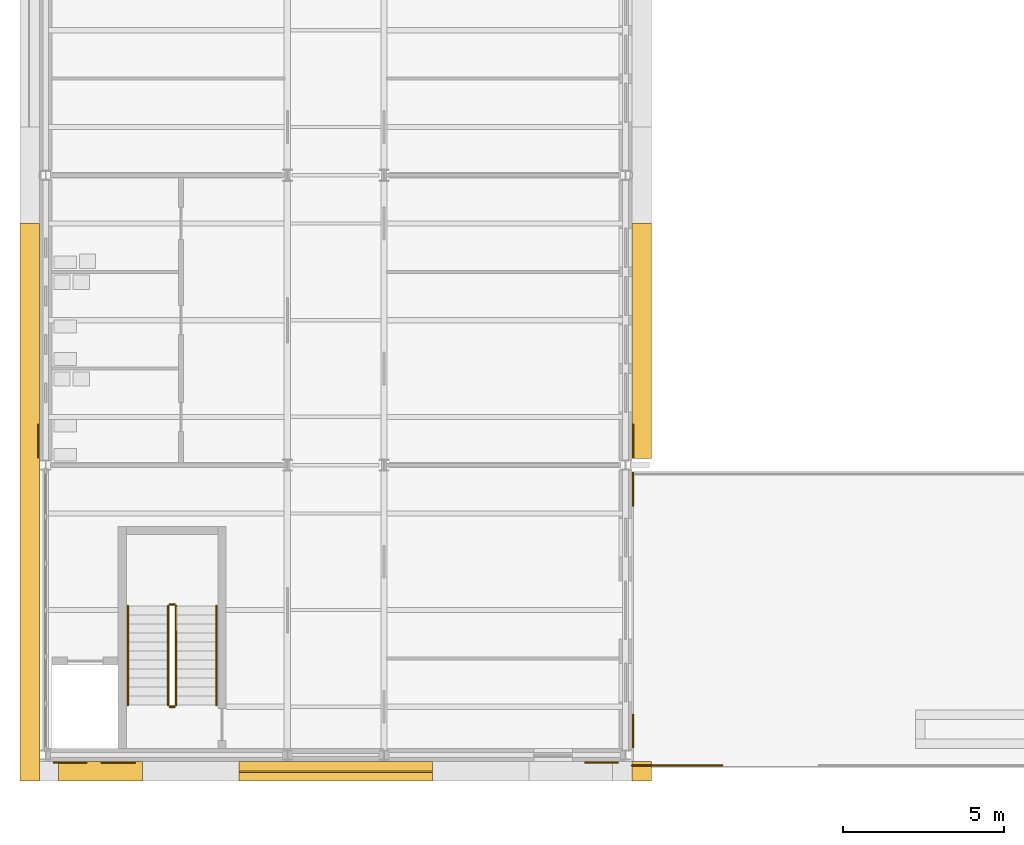
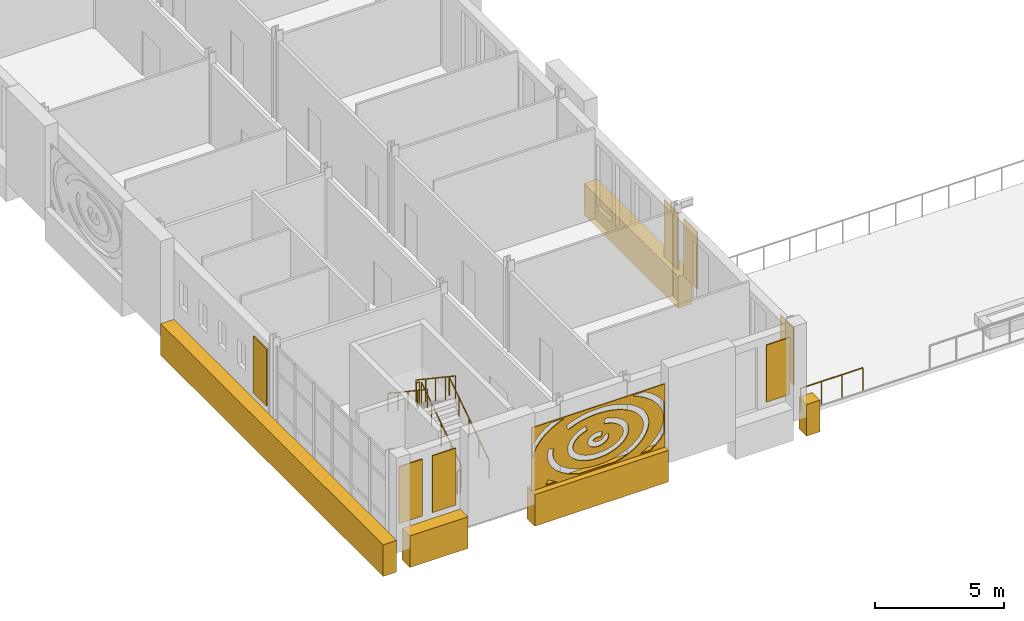
# One storey, part 107 of 134: 13 coverings, 7 railings.
"""IFC4 building model written with IfcOpenShell, lengths in metres."""

import ifcopenshell
import ifcopenshell.guid

model = None  # the IFC model being written
_history = None  # IfcOwnerHistory: only IFC2X3 demands one
_inside = {}  # id of a spatial element -> (the spatial element, [elements in it])
_under = {}  # id of a project, library or spatial element -> (it, [spatial elements below it])
_declared = {}  # id of a project -> (the project, [libraries it declares])
_typed = {}  # id of a type object -> (the type object, [elements of that type])
_made_of = {}  # id of a material, layer set ... -> (it, [elements and type objects made of it])


def new_model(schema):
    """Start an empty IFC model of exactly this schema.

    Asked for "IFC4X3", IfcOpenShell would pick the latest addendum, in which some entities
    have other attributes; the version numbers below select the first issue.
    IFC2X3 requires an IfcOwnerHistory on every rooted entity: one is made here for all.
    """
    global model, _history
    if schema == "IFC4X3":
        model = ifcopenshell.file(schema_version=(4, 3, 0, 0))
    else:
        model = ifcopenshell.file(schema=schema)
    _inside.clear()
    _under.clear()
    _declared.clear()
    _typed.clear()
    _made_of.clear()
    _history = None
    if model.schema == "IFC2X3":
        org = make("IfcOrganization", Name="unknown")
        user = make(
            "IfcPersonAndOrganization",
            ThePerson=make("IfcPerson", FamilyName="unknown"),
            TheOrganization=org,
        )
        app = make(
            "IfcApplication",
            ApplicationDeveloper=org,
            Version="unknown",
            ApplicationFullName="unknown",
            ApplicationIdentifier="unknown",
        )
        _history = make(
            "IfcOwnerHistory",
            OwningUser=user,
            OwningApplication=app,
            ChangeAction="ADDED",
            CreationDate=0,
        )
    return model


def make(cls, **values):
    """One entity of the class cls with the attributes given. An attribute that is None is left unset."""
    return model.create_entity(
        cls, **{name: value for name, value in values.items() if value is not None}
    )


def rooted(cls, **values):
    """An entity with a GlobalId (a new one), such as an element, a storey or a relation."""
    return make(cls, GlobalId=ifcopenshell.guid.new(), OwnerHistory=_history, **values)


def si_unit(unit_type, name, prefix=None):
    """IfcSIUnit, for example si_unit("LENGTHUNIT", "METRE", prefix="MILLI")."""
    return make("IfcSIUnit", UnitType=unit_type, Prefix=prefix, Name=name)


def assignment(units):
    """IfcUnitAssignment: the units of a project."""
    return None if units is None else make("IfcUnitAssignment", Units=units)


def point(xyz):
    """IfcCartesianPoint."""
    return None if xyz is None else make("IfcCartesianPoint", Coordinates=xyz)


def direction(xyz):
    """IfcDirection."""
    return None if xyz is None else make("IfcDirection", DirectionRatios=xyz)


def frame(location, z_axis=None, x_axis=None):
    """IfcAxis2Placement3D, a coordinate frame: its origin and axes. An axis left out is left unset."""
    return make(
        "IfcAxis2Placement3D",
        Location=point(location),
        Axis=direction(z_axis),
        RefDirection=direction(x_axis),
    )


def frame_2d(location, x_axis=None):
    """IfcAxis2Placement2D, a coordinate frame in the plane: its origin and x axis."""
    return make(
        "IfcAxis2Placement2D", Location=point(location), RefDirection=direction(x_axis)
    )


def origin():
    """The frame at (0, 0, 0) with its axes left unset."""
    return frame((0.0, 0.0, 0.0))


def origin_2d():
    """The frame at (0, 0) in the plane with its x axis left unset."""
    return frame_2d((0.0, 0.0))


def place(relative_to, where):
    """IfcLocalPlacement: puts the frame where relative to a parent placement (None: the world)."""
    return make(
        "IfcLocalPlacement", PlacementRelTo=relative_to, RelativePlacement=where
    )


def context(
    kind, dimensions, precision=None, world=None, true_north=None, identifier=None
):
    """IfcGeometricRepresentationContext, for example the 3D "Model" context."""
    return make(
        "IfcGeometricRepresentationContext",
        ContextIdentifier=identifier,
        ContextType=kind,
        CoordinateSpaceDimension=dimensions,
        Precision=precision,
        WorldCoordinateSystem=world,
        TrueNorth=true_north,
    )


def subcontext(parent, identifier, kind, view, scale=None):
    """IfcGeometricRepresentationSubContext, for example "Body" below "Model"."""
    return make(
        "IfcGeometricRepresentationSubContext",
        ContextIdentifier=identifier,
        ContextType=kind,
        ParentContext=parent,
        TargetScale=scale,
        TargetView=view,
    )


def project(units=None, contexts=None):
    """IfcProject with its units and contexts."""
    return rooted(
        "IfcProject",
        Name="project",
        RepresentationContexts=contexts,
        UnitsInContext=assignment(units),
    )


def spatial(cls, under=None, at=None, **own):
    """A site, building, storey or space (cls), placed at a placement, below another one or the project."""
    s = rooted(cls, ObjectPlacement=at, **own)
    if under is not None:
        _under.setdefault(under.id(), (under, []))[1].append(s)
    return s


def polyline(points):
    """IfcPolyline through the points."""
    return make("IfcPolyline", Points=[point(p) for p in points])


def profile(cls, at=None, kind="AREA", **sizes):
    """A parametric profile (cls). Its sizes go by their IFC names, for example OverallWidth=200.0."""
    return make(cls, ProfileType=kind, Position=at, **sizes)


def circle(**sizes):
    """IfcCircleProfileDef."""
    return profile("IfcCircleProfileDef", **sizes)


def outline(outer, holes=None, kind="AREA"):
    """IfcArbitraryClosedProfileDef: a profile drawn as a closed curve; with holes, ...WithVoids."""
    if holes is None:
        return make("IfcArbitraryClosedProfileDef", ProfileType=kind, OuterCurve=outer)
    return make(
        "IfcArbitraryProfileDefWithVoids",
        ProfileType=kind,
        OuterCurve=outer,
        InnerCurves=holes,
    )


def extrude(swept, where, along, depth):
    """IfcExtrudedAreaSolid: the profile swept, set in the frame where, extruded along a direction by depth."""
    return make(
        "IfcExtrudedAreaSolid",
        SweptArea=swept,
        Position=where,
        ExtrudedDirection=direction(along),
        Depth=depth,
    )


def shape(context_of_items, identifier, shape_type, items):
    """IfcShapeRepresentation: the items that make up one representation, for example the "Body"."""
    return make(
        "IfcShapeRepresentation",
        ContextOfItems=context_of_items,
        RepresentationIdentifier=identifier,
        RepresentationType=shape_type,
        Items=items,
    )


def material(Name=None, Category=None):
    """IfcMaterial."""
    return make("IfcMaterial", Name=Name, Category=Category)


def layer(
    of_material, thickness, ventilated=None, Name=None, Category=None, Priority=None
):
    """IfcMaterialLayer: one layer of a wall or slab, of a material (None: an air gap)."""
    return make(
        "IfcMaterialLayer",
        Material=of_material,
        LayerThickness=thickness,
        IsVentilated=ventilated,
        Name=Name,
        Category=Category,
        Priority=Priority,
    )


def layer_set(layers, Name=None):
    """IfcMaterialLayerSet."""
    return make("IfcMaterialLayerSet", MaterialLayers=layers, LayerSetName=Name)


def made_of(thing, what):
    """Note that an element or type object is made of a material, layer set ...; save() writes the relation."""
    if what is not None:
        _made_of.setdefault(what.id(), (what, []))[1].append(thing)
    return thing


def type_object(cls, material=None, **own):
    """A type object (cls), such as IfcWallType, which elements share."""
    return made_of(rooted(cls, **own), material)


def element(
    cls,
    number,
    at=None,
    inside=None,
    cuts=None,
    type_object=None,
    material=None,
    context=None,
    identifier="Body",
    shape_type=None,
    held_by="IfcProductDefinitionShape",
    body=None,
    shapes=None,
    **own,
):
    """One element of the class cls, such as IfcWall. Its Tag is "e" and its number.

    at: its placement. inside: the storey or other place that contains it. cuts: it is an
    opening in that element (IfcRelVoidsElement). A single representation is given by context,
    identifier, shape_type and body (its items); several are given by shapes. held_by: the class
    of the entity that holds the representations. save() writes the other relations.
    """
    e = rooted(cls, Tag="e%d" % number, ObjectPlacement=at, **own)
    if body is not None:
        shapes = [shape(context, identifier, shape_type, body)]
    if shapes is not None:
        e.Representation = make(held_by, Representations=shapes)
    if inside is not None:
        _inside.setdefault(inside.id(), (inside, []))[1].append(e)
    if cuts is not None:
        rooted(
            "IfcRelVoidsElement", RelatingBuildingElement=cuts, RelatedOpeningElement=e
        )
    if type_object is not None:
        _typed.setdefault(type_object.id(), (type_object, []))[1].append(e)
    return made_of(e, material)


def aggregate(whole, parts):
    """IfcRelAggregates: a whole, such as a stair, and the parts it consists of."""
    return rooted("IfcRelAggregates", RelatingObject=whole, RelatedObjects=parts)


def save(model, path):
    """Write the relations noted so far, then the file.

    IfcRelAggregates (storeys below a building ...), IfcRelContainedInSpatialStructure (elements
    in a storey), IfcRelDefinesByType, IfcRelAssociatesMaterial and IfcRelDeclares: one each for
    every whole, place, type object, material and project.
    """
    for whole, parts in _under.values():
        aggregate(whole, parts)
    for where, things in _inside.values():
        rooted(
            "IfcRelContainedInSpatialStructure",
            RelatedElements=things,
            RelatingStructure=where,
        )
    for kind, things in _typed.values():
        rooted("IfcRelDefinesByType", RelatedObjects=things, RelatingType=kind)
    for what, things in _made_of.values():
        rooted("IfcRelAssociatesMaterial", RelatedObjects=things, RelatingMaterial=what)
    for by, libraries in _declared.values():
        rooted("IfcRelDeclares", RelatingContext=by, RelatedDefinitions=libraries)
    model.write(path)


model = new_model("IFC4")

# Units and contexts
model_context = context("Model", 3, precision=1e-05, world=origin(), true_north=direction((0.0, 1.0)))
body_context = subcontext(model_context, "Body", "Model", "MODEL_VIEW")
ifc_project = project(units=[si_unit("LENGTHUNIT", "METRE"), si_unit("AREAUNIT", "SQUARE_METRE"), si_unit("VOLUMEUNIT", "CUBIC_METRE"), si_unit("PLANEANGLEUNIT", "RADIAN"), si_unit("MASSUNIT", "GRAM", prefix="KILO")], contexts=[model_context])

# Site, building, storey
site_placement = place(None, origin())
site = spatial("IfcSite", under=ifc_project, at=site_placement, CompositionType="ELEMENT")
building_placement = place(site_placement, origin())
building = spatial("IfcBuilding", under=site, at=building_placement, Name="Golden Quay Civic Hall", CompositionType="ELEMENT")
storey_placement = place(building_placement, frame((0.0, 0.0, 5.39990234375)))
storey = spatial("IfcBuildingStorey", under=building, at=storey_placement, Name="L01", CompositionType="ELEMENT", Elevation=5.39990234375)

# Covering
ifc_material_1 = material(Name="Aluminium, golden anodised, perforated", Category="aluminium")
ifc_layer_1 = layer(ifc_material_1, 0.0400390625)
ifc_layer_set_1 = layer_set([ifc_layer_1], Name="Perforated screen panel 6000 x 3000 x 40")
covering_type_1 = type_object("IfcCoveringType", Name="Perforated screen panel 6000 x 3000 x 40", PredefinedType="CLADDING", material=ifc_layer_set_1)
covering_1_placement = place(storey_placement, frame((9.0, -9.5, 2.10009765625), z_axis=(0.0, -1.0, 0.0), x_axis=(1.0, 0.0, 0.0)))
element("IfcCovering", 1, at=covering_1_placement, inside=storey, type_object=covering_type_1, Name="Perforated screen panel 6000 x 3000 x 40 L01 6", PredefinedType="CLADDING", context=body_context, shape_type="SweptSolid", body=[
    extrude(outline(polyline([(-3.0, -1.5), (3.0, -1.5), (3.0, 1.5), (-3.0, 1.5), (-3.0, -1.5)]), holes=[polyline([(0.0810546875, 0.0087890625), (0.03125, 0.015380859375), (-0.02001953125, 0.01611328125), (-0.070556640625, 0.0107421875), (-0.1171875, 0.0), (-0.157470703125, -0.014892578125), (-0.201904296875, -0.04150390625), (-0.223876953125, -0.065185546875), (-0.228515625, -0.07470703125), (-0.228271484375, -0.085205078125), (-0.211181640625, -0.10986328125), (-0.17431640625, -0.13671875), (-0.1376953125, -0.1533203125), (-0.093994140625, -0.166259765625), (-0.044921875, -0.17431640625), (0.006103515625, -0.176513671875), (0.05712890625, -0.1728515625), (0.10498046875, -0.16357421875), (0.1474609375, -0.1494140625), (0.1953125, -0.123291015625), (0.215087890625, -0.10595703125), (0.227783203125, -0.087158203125), (0.227783203125, -0.072998046875), (0.2177734375, -0.055908203125), (0.421630859375, 0.072509765625), (0.449951171875, 0.020263671875), (0.4619140625, -0.015380859375), (0.46875, -0.052978515625), (0.469970703125, -0.09130859375), (0.46533203125, -0.12939453125), (0.455322265625, -0.16650390625), (0.440185546875, -0.20166015625), (0.412109375, -0.24560546875), (0.370849609375, -0.29052734375), (0.3330078125, -0.321044921875), (0.277587890625, -0.3544921875), (0.206787109375, -0.38427734375), (0.162109375, -0.397705078125), (0.085205078125, -0.412109375), (0.006103515625, -0.41748046875), (-0.0732421875, -0.41357421875), (-0.151123046875, -0.400146484375), (-0.2177734375, -0.380615234375), (-0.28662109375, -0.349853515625), (-0.326904296875, -0.3251953125), (-0.3759765625, -0.285888671875), (-0.40966796875, -0.248779296875), (-0.441650390625, -0.198486328125), (-0.461181640625, -0.147705078125), (-0.47021484375, -0.089599609375), (-0.466064453125, -0.033447265625), (-0.448974609375, 0.02294921875), (-0.431640625, 0.056884765625), (-0.41015625, 0.088134765625), (-0.37646484375, 0.125244140625), (-0.319091796875, 0.17041015625), (-0.253662109375, 0.2060546875), (-0.18212890625, 0.232177734375), (-0.144775390625, 0.24169921875), (-0.07421875, 0.25341796875), (0.01220703125, 0.25732421875), (0.084228515625, 0.252197265625), (0.123046875, 0.24609375), (0.1982421875, 0.227294921875), (0.13037109375, -0.00390625), (0.0810546875, 0.0087890625)]), polyline([(-0.6474609375, 0.453369140625), (-0.7177734375, 0.421875), (-0.783447265625, 0.387451171875), (-0.84423828125, 0.350341796875), (-0.8994140625, 0.31103515625), (-0.948974609375, 0.27001953125), (-0.992431640625, 0.227294921875), (-1.02978515625, 0.18359375), (-1.061279296875, 0.139404296875), (-1.08642578125, 0.0947265625), (-1.105712890625, 0.050048828125), (-1.119140625, 0.005615234375), (-1.126953125, -0.03857421875), (-1.12939453125, -0.082763671875), (-1.126220703125, -0.126953125), (-1.117919921875, -0.171142578125), (-1.103515625, -0.215576171875), (-1.083740234375, -0.26025390625), (-1.0576171875, -0.3046875), (-1.025634765625, -0.34912109375), (-0.9873046875, -0.392578125), (-0.943115234375, -0.43505859375), (-0.892822265625, -0.47607421875), (-0.8369140625, -0.51513671875), (-0.775634765625, -0.5517578125), (-0.709228515625, -0.5859375), (-0.638427734375, -0.6171875), (-0.5634765625, -0.64501953125), (-0.48486328125, -0.66943359375), (-0.403076171875, -0.690185546875), (-0.318603515625, -0.707275390625), (-0.232177734375, -0.72021484375), (-0.144287109375, -0.72900390625), (-0.055419921875, -0.733642578125), (0.03369140625, -0.734130859375), (0.122802734375, -0.73046875), (0.2109375, -0.72265625), (0.2978515625, -0.710693359375), (0.3828125, -0.694580078125), (0.46533203125, -0.6748046875), (0.544677734375, -0.6513671875), (0.62060546875, -0.624267578125), (0.692626953125, -0.59375), (0.760009765625, -0.560302734375), (0.822509765625, -0.524169921875), (0.8798828125, -0.485595703125), (0.931396484375, -0.4453125), (0.977294921875, -0.403076171875), (1.016845703125, -0.359619140625), (1.050537109375, -0.315673828125), (1.077880859375, -0.27099609375), (1.099365234375, -0.226318359375), (1.114990234375, -0.181884765625), (1.124755859375, -0.1376953125), (1.129150390625, -0.093505859375), (1.1279296875, -0.04931640625), (1.12158203125, -0.005126953125), (1.109619140625, 0.039306640625), (1.091796875, 0.083984375), (1.06787109375, 0.12841796875), (1.0380859375, 0.1728515625), (1.002197265625, 0.216796875), (0.9599609375, 0.259765625), (0.911865234375, 0.30126953125), (0.858154296875, 0.341064453125), (0.798583984375, 0.378662109375), (0.734130859375, 0.413818359375), (0.6650390625, 0.446044921875), (0.59130859375, 0.47509765625), (0.513916015625, 0.5009765625), (0.433349609375, 0.523193359375), (0.349853515625, 0.54150390625), (0.26123046875, 0.556396484375), (0.30126953125, 0.7939453125), (0.392822265625, 0.778564453125), (0.488037109375, 0.7578125), (0.587158203125, 0.73046875), (0.670654296875, 0.70263671875), (0.757080078125, 0.668701171875), (0.83935546875, 0.630615234375), (0.92431640625, 0.584228515625), (0.997802734375, 0.537353515625), (1.05859375, 0.4921875), (1.121337890625, 0.438720703125), (1.177734375, 0.381591796875), (1.23486328125, 0.31201171875), (1.277587890625, 0.2470703125), (1.307373046875, 0.19140625), (1.335693359375, 0.122314453125), (1.35595703125, 0.051025390625), (1.36865234375, -0.0361328125), (1.369384765625, -0.109619140625), (1.361328125, -0.182861328125), (1.344482421875, -0.254638671875), (1.32470703125, -0.31201171875), (1.286376953125, -0.39208984375), (1.245849609375, -0.456787109375), (1.205322265625, -0.510009765625), (1.14404296875, -0.576904296875), (1.083984375, -0.6318359375), (1.025146484375, -0.677978515625), (0.946533203125, -0.730712890625), (0.870361328125, -0.7744140625), (0.79638671875, -0.811279296875), (0.704833984375, -0.849853515625), (0.616455078125, -0.88134765625), (0.524658203125, -0.908203125), (0.430419921875, -0.930908203125), (0.339599609375, -0.947998046875), (0.2353515625, -0.96240234375), (0.135498046875, -0.97119140625), (0.035400390625, -0.97509765625), (-0.0595703125, -0.974609375), (-0.159912109375, -0.969482421875), (-0.264892578125, -0.958740234375), (-0.357421875, -0.945068359375), (-0.453369140625, -0.92578125), (-0.55322265625, -0.900390625), (-0.63818359375, -0.8740234375), (-0.725830078125, -0.841796875), (-0.809814453125, -0.804931640625), (-0.889404296875, -0.764404296875), (-0.96435546875, -0.719482421875), (-1.034423828125, -0.6708984375), (-1.09912109375, -0.618896484375), (-1.15771484375, -0.56298828125), (-1.21728515625, -0.4951171875), (-1.2626953125, -0.431396484375), (-1.30078125, -0.364501953125), (-1.326416015625, -0.307861328125), (-1.349609375, -0.2373046875), (-1.3662109375, -0.150634765625), (-1.3701171875, -0.091796875), (-1.3671875, -0.018310546875), (-1.351806640625, 0.068603515625), (-1.32958984375, 0.13916015625), (-1.29931640625, 0.20751953125), (-1.261474609375, 0.2734375), (-1.223388671875, 0.327392578125), (-1.171875, 0.38818359375), (-1.114013671875, 0.445556640625), (-1.042724609375, 0.504638671875), (-0.973388671875, 0.5537109375), (-0.89892578125, 0.598876953125), (-0.81982421875, 0.64013671875), (-0.736328125, 0.67724609375), (-0.649169921875, 0.710205078125), (-0.564697265625, 0.7373046875), (-0.49169921875, 0.507568359375), (-0.572998046875, 0.481689453125), (-0.6474609375, 0.453369140625)]), polyline([(-2.023193359375, 0.012939453125), (-2.029052734375, -0.059814453125), (-2.02734375, -0.13232421875), (-2.018310546875, -0.205078125), (-2.001708984375, -0.277587890625), (-1.977294921875, -0.349853515625), (-1.9453125, -0.421875), (-1.905517578125, -0.492919921875), (-1.85791015625, -0.563232421875), (-1.802734375, -0.632080078125), (-1.739990234375, -0.69921875), (-1.669921875, -0.764404296875), (-1.592529296875, -0.8271484375), (-1.50830078125, -0.886962890625), (-1.417724609375, -0.94384765625), (-1.32080078125, -0.997314453125), (-1.218017578125, -1.046875), (-1.110107421875, -1.092529296875), (-0.997314453125, -1.1337890625), (-0.88037109375, -1.1708984375), (-0.759521484375, -1.203125), (-0.635009765625, -1.230712890625), (-0.508056640625, -1.25341796875), (-0.37890625, -1.27099609375), (-0.248046875, -1.283203125), (-0.115966796875, -1.29052734375), (0.0166015625, -1.29248046875), (0.14892578125, -1.289306640625), (0.280517578125, -1.28076171875), (0.4111328125, -1.26708984375), (0.539794921875, -1.248291015625), (0.666259765625, -1.224365234375), (0.789794921875, -1.195556640625), (0.909912109375, -1.162109375), (1.02587890625, -1.1240234375), (1.137451171875, -1.08154296875), (1.244140625, -1.034912109375), (1.345458984375, -0.984130859375), (1.44091796875, -0.929931640625), (1.52978515625, -0.872314453125), (1.6123046875, -0.811767578125), (1.68798828125, -0.748291015625), (1.75634765625, -0.6826171875), (1.817138671875, -0.614990234375), (1.87060546875, -0.5458984375), (1.916015625, -0.475341796875), (1.953857421875, -0.404052734375), (1.98388671875, -0.33203125), (2.00634765625, -0.259521484375), (2.021240234375, -0.18701171875), (2.028564453125, -0.1142578125), (2.0283203125, -0.04150390625), (2.0205078125, 0.031005859375), (2.00537109375, 0.103759765625), (1.982421875, 0.176025390625), (1.951904296875, 0.248046875), (1.913818359375, 0.3193359375), (1.86767578125, 0.389892578125), (1.81396484375, 0.458984375), (1.752685546875, 0.5263671875), (1.683837890625, 0.592041015625), (1.60791015625, 0.6552734375), (1.525146484375, 0.7158203125), (1.435546875, 0.773193359375), (1.33984375, 0.8271484375), (1.23828125, 0.87744140625), (1.13134765625, 0.924072265625), (1.01953125, 0.96630859375), (0.9033203125, 1.004150390625), (0.782958984375, 1.037353515625), (0.6591796875, 1.06591796875), (0.53271484375, 1.08935546875), (0.40380859375, 1.10791015625), (0.273193359375, 1.121337890625), (0.1416015625, 1.12939453125), (0.009033203125, 1.132568359375), (-0.123291015625, 1.130126953125), (-0.25537109375, 1.122802734375), (-0.385986328125, 1.110107421875), (-0.515380859375, 1.09228515625), (-0.64208984375, 1.0693359375), (-0.76611328125, 1.04150390625), (-0.886962890625, 1.0087890625), (-1.00390625, 0.9716796875), (-1.116455078125, 0.929931640625), (-1.22412109375, 0.884033203125), (-1.3291015625, 0.8330078125), (-1.434814453125, 1.04931640625), (-1.3212890625, 1.1044921875), (-1.208251953125, 1.15283203125), (-1.07958984375, 1.200439453125), (-0.952392578125, 1.24072265625), (-0.821533203125, 1.27587890625), (-0.6923828125, 1.304931640625), (-0.55078125, 1.33056640625), (-0.411865234375, 1.349609375), (-0.276123046875, 1.36279296875), (-0.1298828125, 1.37109375), (0.00732421875, 1.373291015625), (0.1494140625, 1.370361328125), (0.290771484375, 1.361572265625), (0.430908203125, 1.347412109375), (0.574462890625, 1.32666015625), (0.705810546875, 1.30224609375), (0.839599609375, 1.271484375), (0.97509765625, 1.23388671875), (1.0966796875, 1.194580078125), (1.21923828125, 1.148193359375), (1.3427734375, 1.0947265625), (1.449951171875, 1.04150390625), (1.556884765625, 0.981201171875), (1.664306640625, 0.912353515625), (1.753173828125, 0.847412109375), (1.841064453125, 0.774658203125), (1.927978515625, 0.691650390625), (1.99560546875, 0.617431640625), (2.06103515625, 0.53369140625), (2.12353515625, 0.437744140625), (2.1669921875, 0.357177734375), (2.20654296875, 0.264892578125), (2.239990234375, 0.158935546875), (2.257568359375, 0.07470703125), (2.2685546875, -0.0224609375), (2.26953125, -0.119873046875), (2.258544921875, -0.229248046875), (2.23828125, -0.3251953125), (2.20849609375, -0.419677734375), (2.169189453125, -0.511962890625), (2.12109375, -0.601806640625), (2.064453125, -0.68896484375), (1.999267578125, -0.772705078125), (1.926513671875, -0.853515625), (1.845947265625, -0.930419921875), (1.75830078125, -1.003662109375), (1.669677734375, -1.068603515625), (1.568603515625, -1.134033203125), (1.461669921875, -1.1953125), (1.34912109375, -1.251708984375), (1.2314453125, -1.303466796875), (1.10888671875, -1.35009765625), (0.982421875, -1.391845703125), (0.802490234375, -1.43994140625), (-0.80419921875, -1.43994140625), (-0.9501953125, -1.4013671875), (-1.072509765625, -1.36279296875), (-1.196044921875, -1.317626953125), (-1.3203125, -1.264892578125), (-1.4287109375, -1.212646484375), (-1.536865234375, -1.153076171875), (-1.645263671875, -1.085205078125), (-1.7353515625, -1.02099609375), (-1.82470703125, -0.948974609375), (-1.9130859375, -0.86669921875), (-1.98779296875, -0.786376953125), (-2.049072265625, -0.7099609375), (-2.10791015625, -0.623779296875), (-2.1630859375, -0.52490234375), (-2.19970703125, -0.44287109375), (-2.231689453125, -0.348876953125), (-2.25439453125, -0.253173828125), (-2.26806640625, -0.14404296875), (-2.269775390625, -0.046630859375), (-2.26123046875, 0.050537109375), (-2.242919921875, 0.146728515625), (-2.21875, 0.230712890625), (-1.9873046875, 0.163818359375), (-2.010009765625, 0.085693359375), (-2.023193359375, 0.012939453125)]), polyline([(-2.008056640625, -1.365478515625), (-1.868408203125, -1.43994140625), (-2.34033203125, -1.43994140625), (-2.369140625, -1.42041015625), (-2.234619140625, -1.220703125), (-2.123291015625, -1.2958984375), (-2.008056640625, -1.365478515625)]), polyline([(1.86865234375, -1.43994140625), (2.0029296875, -1.368408203125), (2.118408203125, -1.298828125), (2.227294921875, -1.225830078125), (2.3291015625, -1.1494140625), (2.423583984375, -1.06982421875), (2.510498046875, -0.98779296875), (2.589599609375, -0.9033203125), (2.660400390625, -0.816650390625), (2.723388671875, -0.728271484375), (2.77783203125, -0.63818359375), (2.823974609375, -0.54736328125), (2.86181640625, -0.455322265625), (2.89111328125, -0.36279296875), (2.912353515625, -0.269775390625), (2.925048828125, -0.176513671875), (2.929443359375, -0.0830078125), (2.925537109375, 0.010498046875), (2.913330078125, 0.10400390625), (2.892822265625, 0.197021484375), (2.864013671875, 0.28955078125), (2.82666015625, 0.381591796875), (2.781005859375, 0.47265625), (2.726806640625, 0.5625), (2.66455078125, 0.651123046875), (2.593994140625, 0.73779296875), (2.515625, 0.822509765625), (2.42919921875, 0.90478515625), (2.335205078125, 0.984619140625), (2.23388671875, 1.06103515625), (2.12548828125, 1.134521484375), (2.01025390625, 1.2041015625), (1.888671875, 1.27001953125), (1.760986328125, 1.331787109375), (1.6279296875, 1.389404296875), (1.495849609375, 1.43994140625), (2.080810546875, 1.43994140625), (2.252685546875, 1.339111328125), (2.371337890625, 1.2587890625), (2.483154296875, 1.1748046875), (2.587646484375, 1.08642578125), (2.6845703125, 0.994384765625), (2.778564453125, 0.892822265625), (2.859130859375, 0.793212890625), (2.93994140625, 0.67578125), (2.93994140625, -0.83544921875), (2.849365234375, -0.966064453125), (2.76806640625, -1.064697265625), (2.683837890625, -1.155029296875), (2.586669921875, -1.247314453125), (2.481689453125, -1.3359375), (2.34033203125, -1.43994140625), (1.86865234375, -1.43994140625)]), polyline([(-1.616943359375, 1.393798828125), (-1.75048828125, 1.336669921875), (-1.878662109375, 1.275146484375), (-2.00048828125, 1.209716796875), (-2.1162109375, 1.14013671875), (-2.225341796875, 1.067138671875), (-2.327392578125, 0.99072265625), (-2.421875, 0.911376953125), (-2.5087890625, 0.829345703125), (-2.588134765625, 0.744873046875), (-2.6591796875, 0.658203125), (-2.72216796875, 0.56982421875), (-2.77685546875, 0.47998046875), (-2.8232421875, 0.388916015625), (-2.861083984375, 0.297119140625), (-2.890625, 0.20458984375), (-2.912109375, 0.111328125), (-2.9248046875, 0.01806640625), (-2.929443359375, -0.075439453125), (-2.925537109375, -0.17431640625), (-2.93994140625, -0.1748046875), (-2.93994140625, 0.67529296875), (-2.85302734375, 0.801513671875), (-2.771728515625, 0.90087890625), (-2.677001953125, 1.001953125), (-2.579345703125, 1.09375), (-2.474365234375, 1.181640625), (-2.362060546875, 1.265380859375), (-2.247802734375, 1.342041015625), (-2.080810546875, 1.43994140625), (-1.4951171875, 1.43994140625), (-1.616943359375, 1.393798828125)])]), origin(), (0.0, 0.0, 1.0), 0.0400390625),
])

# Railings
ifc_material_2 = material(Name="Stainless steel", Category="steel")
railing_type_1 = type_object("IfcRailingType", Name="Stainless steel guard 1100", PredefinedType="GUARDRAIL", material=ifc_material_2)
railing_1_placement = place(storey_placement, frame((18.199951171875, -9.320068359375, 0.0)))
element("IfcRailing", 2, at=railing_1_placement, inside=storey, type_object=railing_type_1, Name="Terrace guard front 1", PredefinedType="GUARDRAIL", context=body_context, shape_type="SweptSolid", body=[
    extrude(circle(Radius=0.02490234375, at=origin_2d()), frame((0.0, 0.0, 1.0751953125), z_axis=(1.0, 0.0, 0.0), x_axis=(0.0, 1.0, 0.0)), (0.0, 0.0, 1.0), 2.800048828125),
    extrude(circle(Radius=0.02001953125, at=origin_2d()), origin(), (0.0, 0.0, 1.0), 1.050048828125),
    extrude(circle(Radius=0.02001953125, at=origin_2d()), frame((0.933349609375, 0.0, 0.0)), (0.0, 0.0, 1.0), 1.050048828125),
    extrude(circle(Radius=0.02001953125, at=origin_2d()), frame((1.86669921875, 0.0, 0.0)), (0.0, 0.0, 1.0), 1.050048828125),
    extrude(circle(Radius=0.02001953125, at=origin_2d()), frame((2.800048828125, 0.0, 0.0)), (0.0, 0.0, 1.0), 1.050048828125),
])
ifc_material_3 = material(Name="Steel S355", Category="steel")
railing_type_2 = type_object("IfcRailingType", Name="Steel guard 1100", PredefinedType="GUARDRAIL", material=ifc_material_3)
railing_2_placement = place(storey_placement, frame((4.050048828125, -7.449951171875, 0.1875)))
element("IfcRailing", 3, at=railing_2_placement, inside=storey, type_object=railing_type_2, Name="L01 WO-S stair guard 1", PredefinedType="GUARDRAIL", context=body_context, shape_type="SweptSolid", body=[
    extrude(circle(Radius=0.02392578125, at=origin_2d()), frame((0.0, 0.0, 1.076171875), z_axis=(0.0, 0.830893310487, 0.556431762742), x_axis=(-1.0, 0.0, 0.0)), (0.0, 0.0, 1.0), 3.70654296875),
    extrude(circle(Radius=0.02099609375, at=origin_2d()), origin(), (0.0, 0.0, 1.0), 1.052001953125),
    extrude(circle(Radius=0.02099609375, at=origin_2d()), frame((0.0, 0.77001953125, 0.515625)), (0.0, 0.0, 1.0), 1.052001953125),
    extrude(circle(Radius=0.02099609375, at=origin_2d()), frame((0.0, 1.5400390625, 1.03125)), (0.0, 0.0, 1.0), 1.052001953125),
    extrude(circle(Radius=0.02099609375, at=origin_2d()), frame((0.0, 2.309814453125, 1.546875)), (0.0, 0.0, 1.0), 1.052001953125),
    extrude(circle(Radius=0.02099609375, at=origin_2d()), frame((0.0, 3.079833984375, 2.0625)), (0.0, 0.0, 1.0), 1.052001953125),
])
railing_3_placement = place(storey_placement, frame((4.0, -4.320068359375, 2.25)))
element("IfcRailing", 4, at=railing_3_placement, inside=storey, type_object=railing_type_2, Name="L01 WO-S stair guard 2", PredefinedType="GUARDRAIL", context=body_context, shape_type="SweptSolid", body=[
    extrude(circle(Radius=0.02392578125, at=origin_2d()), frame((0.0, 0.0, 1.076171875), z_axis=(-1.0, 0.0, 0.0), x_axis=(0.0, -1.0, 0.0)), (0.0, 0.0, 1.0), 0.14990234375),
    extrude(circle(Radius=0.02099609375, at=origin_2d()), origin(), (0.0, 0.0, 1.0), 1.052001953125),
    extrude(circle(Radius=0.02099609375, at=origin_2d()), frame((-0.14990234375, 0.0, 0.0)), (0.0, 0.0, 1.0), 1.052001953125),
])
railing_4_placement = place(storey_placement, frame((3.800048828125, -4.3701171875, 2.4375)))
element("IfcRailing", 5, at=railing_4_placement, inside=storey, type_object=railing_type_2, Name="L01 WO-S stair guard 3", PredefinedType="GUARDRAIL", context=body_context, shape_type="SweptSolid", body=[
    extrude(circle(Radius=0.02392578125, at=origin_2d()), frame((0.0, 0.0, 1.076171875), z_axis=(0.0, -0.830893310487, 0.556431762742), x_axis=(1.0, 0.0, 0.0)), (0.0, 0.0, 1.0), 3.70654296875),
    extrude(circle(Radius=0.02099609375, at=origin_2d()), origin(), (0.0, 0.0, 1.0), 1.052001953125),
    extrude(circle(Radius=0.02099609375, at=origin_2d()), frame((0.0, -0.77001953125, 0.515625)), (0.0, 0.0, 1.0), 1.052001953125),
    extrude(circle(Radius=0.02099609375, at=origin_2d()), frame((0.0, -1.5400390625, 1.03125)), (0.0, 0.0, 1.0), 1.052001953125),
    extrude(circle(Radius=0.02099609375, at=origin_2d()), frame((0.0, -2.309814453125, 1.546875)), (0.0, 0.0, 1.0), 1.052001953125),
    extrude(circle(Radius=0.02099609375, at=origin_2d()), frame((0.0, -3.079833984375, 2.0625)), (0.0, 0.0, 1.0), 1.052001953125),
])
railing_5_placement = place(storey_placement, frame((4.0, -7.5, 0.0)))
element("IfcRailing", 6, at=railing_5_placement, inside=storey, type_object=railing_type_2, Name="L01 WO-S stair guard 4", PredefinedType="GUARDRAIL", context=body_context, shape_type="SweptSolid", body=[
    extrude(circle(Radius=0.02392578125, at=origin_2d()), frame((0.0, 0.0, 1.076171875), z_axis=(-1.0, 0.0, 0.0), x_axis=(0.0, -1.0, 0.0)), (0.0, 0.0, 1.0), 0.14990234375),
    extrude(circle(Radius=0.02099609375, at=origin_2d()), origin(), (0.0, 0.0, 1.0), 1.052001953125),
    extrude(circle(Radius=0.02099609375, at=origin_2d()), frame((-0.14990234375, 0.0, 0.0)), (0.0, 0.0, 1.0), 1.052001953125),
])
ifc_material_4 = material(Name="Steel S355", Category="steel")
railing_type_3 = type_object("IfcRailingType", Name="Steel handrail 900", PredefinedType="HANDRAIL", material=ifc_material_4)
railing_6_placement = place(storey_placement, frame((5.300048828125, -7.449951171875, 0.1875)))
element("IfcRailing", 7, at=railing_6_placement, inside=storey, type_object=railing_type_3, Name="L01 WO-S stair handrail 1", PredefinedType="HANDRAIL", context=body_context, shape_type="SweptSolid", body=[
    extrude(circle(Radius=0.02392578125, at=origin_2d()), frame((0.0, 0.0, 0.8759765625), z_axis=(0.0, 0.830893310487, 0.556431762742), x_axis=(-1.0, 0.0, 0.0)), (0.0, 0.0, 1.0), 3.70654296875),
    extrude(circle(Radius=0.02099609375, at=origin_2d()), origin(), (0.0, 0.0, 1.0), 0.851806640625),
    extrude(circle(Radius=0.02099609375, at=origin_2d()), frame((0.0, 0.77001953125, 0.515625)), (0.0, 0.0, 1.0), 0.851806640625),
    extrude(circle(Radius=0.02099609375, at=origin_2d()), frame((0.0, 1.5400390625, 1.03125)), (0.0, 0.0, 1.0), 0.851806640625),
    extrude(circle(Radius=0.02099609375, at=origin_2d()), frame((0.0, 2.309814453125, 1.546875)), (0.0, 0.0, 1.0), 0.851806640625),
    extrude(circle(Radius=0.02099609375, at=origin_2d()), frame((0.0, 3.079833984375, 2.0625)), (0.0, 0.0, 1.0), 0.851806640625),
])
railing_7_placement = place(storey_placement, frame((2.550048828125, -4.3701171875, 2.4375)))
element("IfcRailing", 8, at=railing_7_placement, inside=storey, type_object=railing_type_3, Name="L01 WO-S stair handrail 2", PredefinedType="HANDRAIL", context=body_context, shape_type="SweptSolid", body=[
    extrude(circle(Radius=0.02392578125, at=origin_2d()), frame((0.0, 0.0, 0.8759765625), z_axis=(0.0, -0.830893310487, 0.556431762742), x_axis=(1.0, 0.0, 0.0)), (0.0, 0.0, 1.0), 3.70654296875),
    extrude(circle(Radius=0.02099609375, at=origin_2d()), origin(), (0.0, 0.0, 1.0), 0.851806640625),
    extrude(circle(Radius=0.02099609375, at=origin_2d()), frame((0.0, -0.77001953125, 0.515625)), (0.0, 0.0, 1.0), 0.851806640625),
    extrude(circle(Radius=0.02099609375, at=origin_2d()), frame((0.0, -1.5400390625, 1.03125)), (0.0, 0.0, 1.0), 0.851806640625),
    extrude(circle(Radius=0.02099609375, at=origin_2d()), frame((0.0, -2.309814453125, 1.546875)), (0.0, 0.0, 1.0), 0.851806640625),
    extrude(circle(Radius=0.02099609375, at=origin_2d()), frame((0.0, -3.079833984375, 2.0625)), (0.0, 0.0, 1.0), 0.851806640625),
])

# Coverings
ifc_material_5 = material(Name="Terracotta cladding, golden glaze", Category="masonry")
ifc_layer_2 = layer(ifc_material_5, 0.050048828125)
ifc_layer_set_2 = layer_set([ifc_layer_2], Name="Terracotta solid panel 1050 x 2700 x 50")
covering_type_2 = type_object("IfcCoveringType", Name="Terracotta solid panel 1050 x 2700 x 50", PredefinedType="CLADDING", material=ifc_layer_set_2)
covering_2_placement = place(storey_placement, frame((0.0, 0.0, 0.900146484375)))
element("IfcCovering", 9, at=covering_2_placement, inside=storey, type_object=covering_type_2, Name="Terracotta solid panel 1050 x 2700 x 50 L01 1", PredefinedType="CLADDING", context=body_context, shape_type="SweptSolid", body=[
    extrude(outline(polyline([(-0.199951171875, 0.22509765625), (-0.199951171875, 1.27490234375), (-0.25, 1.27490234375), (-0.25, 0.22509765625), (-0.199951171875, 0.22509765625)])), origin(), (0.0, 0.0, 1.0), 2.699951171875),
])
covering_3_placement = place(storey_placement, frame((0.0, 0.0, 0.900146484375)))
element("IfcCovering", 10, at=covering_3_placement, inside=storey, type_object=covering_type_2, Name="Terracotta solid panel 1050 x 2700 x 50 L01 10", PredefinedType="CLADDING", context=body_context, shape_type="SweptSolid", body=[
    extrude(outline(polyline([(18.199951171875, -8.77490234375), (18.199951171875, -7.72509765625), (18.25, -7.72509765625), (18.25, -8.77490234375), (18.199951171875, -8.77490234375)])), origin(), (0.0, 0.0, 1.0), 2.699951171875),
])
covering_4_placement = place(storey_placement, frame((0.0, 0.0, 0.900146484375)))
element("IfcCovering", 11, at=covering_4_placement, inside=storey, type_object=covering_type_2, Name="Terracotta solid panel 1050 x 2700 x 50 L01 11", PredefinedType="CLADDING", context=body_context, shape_type="SweptSolid", body=[
    extrude(outline(polyline([(18.199951171875, -1.27490234375), (18.199951171875, -0.22509765625), (18.25, -0.22509765625), (18.25, -1.27490234375), (18.199951171875, -1.27490234375)])), origin(), (0.0, 0.0, 1.0), 2.699951171875),
])
covering_5_placement = place(storey_placement, frame((0.0, 0.0, 0.900146484375)))
element("IfcCovering", 12, at=covering_5_placement, inside=storey, type_object=covering_type_2, Name="Terracotta solid panel 1050 x 2700 x 50 L01 12", PredefinedType="CLADDING", context=body_context, shape_type="SweptSolid", body=[
    extrude(outline(polyline([(18.199951171875, 0.22509765625), (18.199951171875, 1.27490234375), (18.25, 1.27490234375), (18.25, 0.22509765625), (18.199951171875, 0.22509765625)])), origin(), (0.0, 0.0, 1.0), 2.699951171875),
])
covering_6_placement = place(storey_placement, frame((0.0, 0.0, 0.900146484375)))
element("IfcCovering", 13, at=covering_6_placement, inside=storey, type_object=covering_type_2, Name="Terracotta solid panel 1050 x 2700 x 50 L01 14", PredefinedType="CLADDING", context=body_context, shape_type="SweptSolid", body=[
    extrude(outline(polyline([(0.22509765625, -9.199951171875), (1.27490234375, -9.199951171875), (1.27490234375, -9.25), (0.22509765625, -9.25), (0.22509765625, -9.199951171875)])), origin(), (0.0, 0.0, 1.0), 2.699951171875),
])
covering_7_placement = place(storey_placement, frame((0.0, 0.0, 0.900146484375)))
element("IfcCovering", 14, at=covering_7_placement, inside=storey, type_object=covering_type_2, Name="Terracotta solid panel 1050 x 2700 x 50 L01 15", PredefinedType="CLADDING", context=body_context, shape_type="SweptSolid", body=[
    extrude(outline(polyline([(1.72509765625, -9.199951171875), (2.77490234375, -9.199951171875), (2.77490234375, -9.25), (1.72509765625, -9.25), (1.72509765625, -9.199951171875)])), origin(), (0.0, 0.0, 1.0), 2.699951171875),
])
covering_8_placement = place(storey_placement, frame((0.0, 0.0, 0.900146484375)))
element("IfcCovering", 15, at=covering_8_placement, inside=storey, type_object=covering_type_2, Name="Terracotta solid panel 1050 x 2700 x 50 L01 16", PredefinedType="CLADDING", context=body_context, shape_type="SweptSolid", body=[
    extrude(outline(polyline([(16.72509765625, -9.199951171875), (17.77490234375, -9.199951171875), (17.77490234375, -9.25), (16.72509765625, -9.25), (16.72509765625, -9.199951171875)])), origin(), (0.0, 0.0, 1.0), 2.699951171875),
])
ifc_material_6 = material(Name="Terracotta cladding, golden glaze", Category="masonry")
covering_type_3 = type_object("IfcCoveringType", Name="Terracotta spandrel fascia 600 x 1500", PredefinedType="CLADDING", material=ifc_material_6)
covering_9_placement = place(storey_placement, frame((0.0, 0.0, -0.89990234375)))
element("IfcCovering", 16, at=covering_9_placement, inside=storey, type_object=covering_type_3, Name="Terracotta spandrel fascia 600 x 1500 L01 2", PredefinedType="CLADDING", context=body_context, shape_type="SweptSolid", body=[
    extrude(outline(polyline([(0.39990234375, -9.199951171875), (3.0, -9.199951171875), (3.0, -9.800048828125), (0.39990234375, -9.800048828125), (0.39990234375, -9.199951171875)])), origin(), (0.0, 0.0, 1.0), 1.5),
])
covering_10_placement = place(storey_placement, frame((0.0, 0.0, -0.89990234375)))
element("IfcCovering", 17, at=covering_10_placement, inside=storey, type_object=covering_type_3, Name="Terracotta spandrel fascia 600 x 1500 L01 3", PredefinedType="CLADDING", context=body_context, shape_type="SweptSolid", body=[
    extrude(outline(polyline([(-0.800048828125, 7.5), (-0.199951171875, 7.5), (-0.199951171875, -9.199951171875), (-0.199951171875, -9.800048828125), (-0.800048828125, -9.800048828125), (-0.800048828125, 7.5)])), origin(), (0.0, 0.0, 1.0), 1.5),
])
covering_11_placement = place(storey_placement, frame((0.0, 0.0, -0.89990234375)))
element("IfcCovering", 18, at=covering_11_placement, inside=storey, type_object=covering_type_3, Name="Terracotta spandrel fascia 600 x 1500 L01 4", PredefinedType="CLADDING", context=body_context, shape_type="SweptSolid", body=[
    extrude(outline(polyline([(18.199951171875, -9.199951171875), (18.800048828125, -9.199951171875), (18.800048828125, -9.800048828125), (18.199951171875, -9.800048828125), (18.199951171875, -9.199951171875)])), origin(), (0.0, 0.0, 1.0), 1.5),
])
covering_12_placement = place(storey_placement, frame((0.0, 0.0, -0.89990234375)))
element("IfcCovering", 19, at=covering_12_placement, inside=storey, type_object=covering_type_3, Name="Terracotta spandrel fascia 600 x 1500 L01 5", PredefinedType="CLADDING", context=body_context, shape_type="SweptSolid", body=[
    extrude(outline(polyline([(12.0, -9.199951171875), (12.0, -9.800048828125), (6.0, -9.800048828125), (6.0, -9.199951171875), (12.0, -9.199951171875)])), origin(), (0.0, 0.0, 1.0), 1.5),
])
covering_13_placement = place(storey_placement, frame((0.0, 0.0, -0.89990234375)))
element("IfcCovering", 20, at=covering_13_placement, inside=storey, type_object=covering_type_3, Name="Terracotta spandrel fascia 600 x 1500 L01 6", PredefinedType="CLADDING", context=body_context, shape_type="SweptSolid", body=[
    extrude(outline(polyline([(18.199951171875, 0.199951171875), (18.199951171875, 7.5), (18.800048828125, 7.5), (18.800048828125, 0.199951171875), (18.199951171875, 0.199951171875)])), origin(), (0.0, 0.0, 1.0), 1.5),
])

save(model, "model.ifc")
